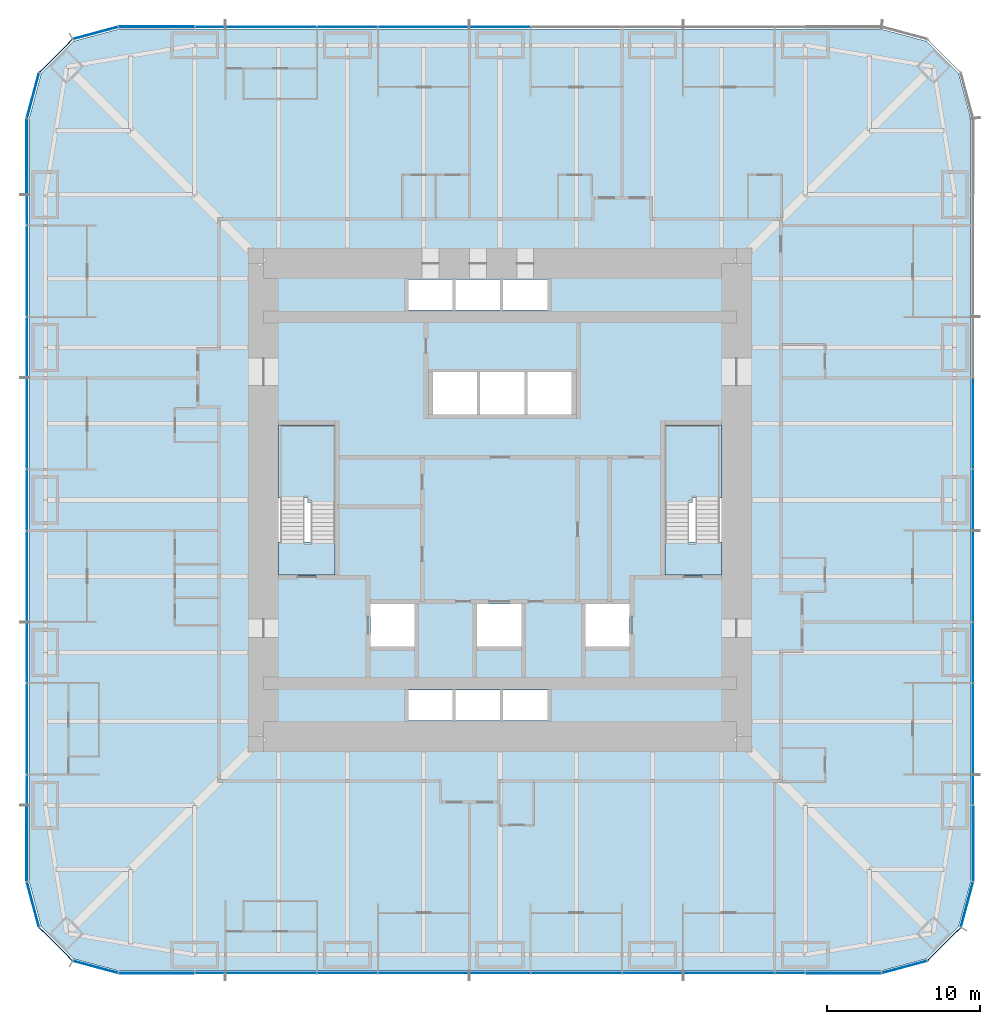
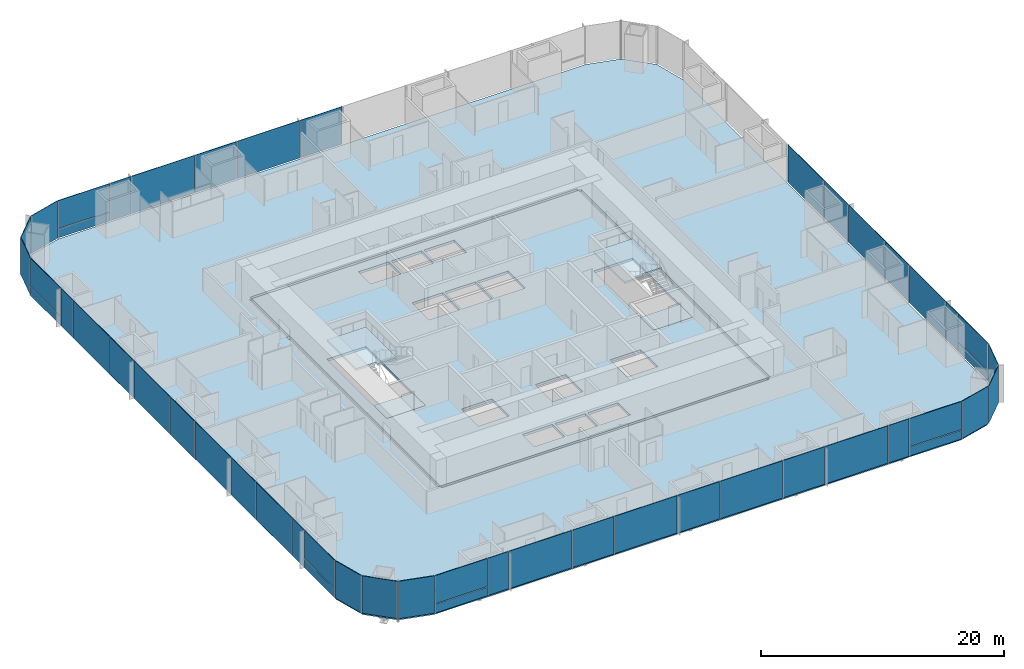
# One storey, part 10 of 17: 50 plates, 6 slabs, 9 elements without a shape of their own.
"""IFC4 building model written with IfcOpenShell, lengths in metres."""

from ifc_helpers import new_model, si_unit, direction, frame, origin, origin_2d, place, context, subcontext, project, spatial, polyline, rectangle, outline, extrude, material, layer, layer_set, type_object, element, aggregate, save


model = new_model("IFC4")

# Units and contexts
model_context = context("Model", 3, precision=1e-05, world=origin(), true_north=direction((0.0, 1.0)))
body_context = subcontext(model_context, "Body", "Model", "MODEL_VIEW")
ifc_project = project(units=[si_unit("LENGTHUNIT", "METRE"), si_unit("AREAUNIT", "SQUARE_METRE"), si_unit("VOLUMEUNIT", "CUBIC_METRE"), si_unit("PLANEANGLEUNIT", "RADIAN"), si_unit("MASSUNIT", "GRAM", prefix="KILO")], contexts=[model_context])

# Site, building, storey
site_placement = place(None, origin())
site = spatial("IfcSite", under=ifc_project, at=site_placement, CompositionType="ELEMENT")
building_placement = place(site_placement, origin())
building = spatial("IfcBuilding", under=site, at=building_placement, Name="Khuree Lantern Residences", CompositionType="ELEMENT")
storey_placement = place(building_placement, frame((0.0, 0.0, 88.5)))
storey = spatial("IfcBuildingStorey", under=building, at=storey_placement, Name="L22", CompositionType="ELEMENT", Elevation=88.5)

# Slab
ifc_material_1 = material(Name="Concrete C35/45", Category="concrete")
ifc_layer_1 = layer(ifc_material_1, 0.25)
ifc_layer_set_1 = layer_set([ifc_layer_1], Name="CFL250 CORE FLOOR SLAB 250")
slab_type_1 = type_object("IfcSlabType", Name="CFL250 CORE FLOOR SLAB 250", PredefinedType="FLOOR", material=ifc_layer_set_1)
slab_1_placement = place(storey_placement, frame((0.0, 0.0, -0.25)))
element("IfcSlab", 1, at=slab_1_placement, inside=storey, type_object=slab_type_1, Name="Core floor L22", PredefinedType="FLOOR", context=body_context, shape_type="SweptSolid", body=[
    extrude(outline(polyline([(-15.5, -15.5), (-15.5, 15.5), (15.5, 15.5), (15.5, -15.5), (-15.5, -15.5)]), holes=[polyline([(14.5, 4.89990234375), (10.800048828125, 4.89990234375), (10.800048828125, -4.89990234375), (14.5, -4.89990234375), (14.5, 4.89990234375)]), polyline([(8.5, -6.800048828125), (5.60009765625, -6.800048828125), (5.60009765625, -9.60009765625), (8.5, -9.60009765625), (8.5, -6.800048828125)]), polyline([(4.699951171875, 8.39990234375), (1.800048828125, 8.39990234375), (1.800048828125, 5.60009765625), (4.699951171875, 5.60009765625), (4.699951171875, 8.39990234375)]), polyline([(0.199951171875, -12.449951171875), (0.199951171875, -14.449951171875), (3.10009765625, -14.449951171875), (3.10009765625, -12.449951171875), (0.199951171875, -12.449951171875)]), polyline([(3.10009765625, 14.449951171875), (0.199951171875, 14.449951171875), (0.199951171875, 12.449951171875), (3.10009765625, 12.449951171875), (3.10009765625, 14.449951171875)]), polyline([(1.60009765625, 8.39990234375), (-1.300048828125, 8.39990234375), (-1.300048828125, 5.60009765625), (1.60009765625, 5.60009765625), (1.60009765625, 8.39990234375)]), polyline([(1.39990234375, -6.800048828125), (-1.5, -6.800048828125), (-1.5, -9.60009765625), (1.39990234375, -9.60009765625), (1.39990234375, -6.800048828125)]), polyline([(0.0, -12.449951171875), (-2.89990234375, -12.449951171875), (-2.89990234375, -14.449951171875), (0.0, -14.449951171875), (0.0, -12.449951171875)]), polyline([(0.0, 14.449951171875), (-2.89990234375, 14.449951171875), (-2.89990234375, 12.449951171875), (0.0, 12.449951171875), (0.0, 14.449951171875)]), polyline([(-1.5, 8.39990234375), (-4.39990234375, 8.39990234375), (-4.39990234375, 5.60009765625), (-1.5, 5.60009765625), (-1.5, 8.39990234375)]), polyline([(-6.0, -12.449951171875), (-6.0, -14.449951171875), (-3.10009765625, -14.449951171875), (-3.10009765625, -12.449951171875), (-6.0, -12.449951171875)]), polyline([(-3.10009765625, 14.449951171875), (-6.0, 14.449951171875), (-6.0, 12.449951171875), (-3.10009765625, 12.449951171875), (-3.10009765625, 14.449951171875)]), polyline([(-5.60009765625, -6.800048828125), (-8.5, -6.800048828125), (-8.5, -9.60009765625), (-5.60009765625, -9.60009765625), (-5.60009765625, -6.800048828125)]), polyline([(-10.800048828125, 4.89990234375), (-14.5, 4.89990234375), (-14.5, -4.89990234375), (-10.800048828125, -4.89990234375), (-10.800048828125, 4.89990234375)])]), origin(), (0.0, 0.0, 1.0), 0.25),
])

# Curtain wall, plates
ifc_material_2 = material(Name="Bronze anodised aluminium", Category="aluminium")
curtain_wall_type_1 = type_object("IfcCurtainWallType", Name="CW-T2 TOWER CORNER CURTAIN WALL", PredefinedType="USERDEFINED", material=ifc_material_2)
curtain_wall_1_placement = place(storey_placement, origin())
curtain_wall_1 = element("IfcCurtainWall", 2, at=curtain_wall_1_placement, inside=storey, type_object=curtain_wall_type_1, Name="L22 SOUTH-EAST CORNER CURTAIN WALL", ObjectType="Faceted corner curtain wall", PredefinedType="USERDEFINED")
ifc_material_3 = material(Name="Bronze tinted triple glazing", Category="glass")
ifc_layer_2 = layer(ifc_material_3, 0.048095703125)
ifc_layer_set_2 = layer_set([ifc_layer_2], Name="FACET PANEL P4")
plate_type_1 = type_object("IfcPlateType", Name="FACET PANEL P4", PredefinedType="CURTAIN_PANEL", material=ifc_layer_set_2)
plate_1_placement = place(storey_placement, frame((26.498046875, -30.5986328125, 0.0), z_axis=(0.0, 0.0, 1.0), x_axis=(0.965925792265, 0.258819172081, 0.0)))
plate_1 = element("IfcPlate", 3, at=plate_1_placement, type_object=plate_type_1, Name="L22 SOUTH-EAST CORNER PANEL 1.1", PredefinedType="CURTAIN_PANEL", context=body_context, shape_type="SweptSolid", body=[
    extrude(rectangle(XDim=3.02978515625, YDim=0.048095703125, at=origin_2d()), origin(), (0.0, 0.0, 1.0), 3.75),
])
plate_2_placement = place(storey_placement, frame((29.09814453125, -29.09814453125, 0.0), z_axis=(0.0, 0.0, 1.0), x_axis=(0.707106781187, 0.707106781187, 0.0)))
plate_2 = element("IfcPlate", 4, at=plate_2_placement, type_object=plate_type_1, Name="L22 SOUTH-EAST CORNER PANEL 2.1", PredefinedType="CURTAIN_PANEL", context=body_context, shape_type="SweptSolid", body=[
    extrude(rectangle(XDim=3.025634765625, YDim=0.048095703125, at=origin_2d()), origin(), (0.0, 0.0, 1.0), 3.75),
])
plate_3_placement = place(storey_placement, frame((30.5986328125, -26.498046875, 0.0), z_axis=(0.0, 0.0, 1.0), x_axis=(0.258819172081, 0.965925792265, 0.0)))
plate_3 = element("IfcPlate", 5, at=plate_3_placement, type_object=plate_type_1, Name="L22 SOUTH-EAST CORNER PANEL 3.1", PredefinedType="CURTAIN_PANEL", context=body_context, shape_type="SweptSolid", body=[
    extrude(rectangle(XDim=3.02978515625, YDim=0.048095703125, at=origin_2d()), origin(), (0.0, 0.0, 1.0), 3.75),
])
aggregate(curtain_wall_1, [plate_1, plate_2, plate_3])

curtain_wall_2_placement = place(storey_placement, origin())
curtain_wall_2 = element("IfcCurtainWall", 6, at=curtain_wall_2_placement, inside=storey, type_object=curtain_wall_type_1, Name="L22 NORTH-WEST CORNER CURTAIN WALL", ObjectType="Faceted corner curtain wall", PredefinedType="USERDEFINED")
plate_4_placement = place(storey_placement, frame((-26.498046875, 30.5986328125, 0.0), z_axis=(0.0, 0.0, 1.0), x_axis=(-0.965925792265, -0.258819172081, 0.0)))
plate_4 = element("IfcPlate", 7, at=plate_4_placement, type_object=plate_type_1, Name="L22 NORTH-WEST CORNER PANEL 29.1", PredefinedType="CURTAIN_PANEL", context=body_context, shape_type="SweptSolid", body=[
    extrude(rectangle(XDim=3.02978515625, YDim=0.048095703125, at=origin_2d()), origin(), (0.0, 0.0, 1.0), 3.75),
])
plate_5_placement = place(storey_placement, frame((-29.09814453125, 29.09814453125, 0.0), z_axis=(0.0, 0.0, 1.0), x_axis=(-0.707106781187, -0.707106781187, 0.0)))
plate_5 = element("IfcPlate", 8, at=plate_5_placement, type_object=plate_type_1, Name="L22 NORTH-WEST CORNER PANEL 30.1", PredefinedType="CURTAIN_PANEL", context=body_context, shape_type="SweptSolid", body=[
    extrude(rectangle(XDim=3.025634765625, YDim=0.048095703125, at=origin_2d()), origin(), (0.0, 0.0, 1.0), 3.75),
])
plate_6_placement = place(storey_placement, frame((-30.5986328125, 26.498046875, 0.0), z_axis=(0.0, 0.0, 1.0), x_axis=(-0.258819172081, -0.965925792265, 0.0)))
plate_6 = element("IfcPlate", 9, at=plate_6_placement, type_object=plate_type_1, Name="L22 NORTH-WEST CORNER PANEL 31.1", PredefinedType="CURTAIN_PANEL", context=body_context, shape_type="SweptSolid", body=[
    extrude(rectangle(XDim=3.02978515625, YDim=0.048095703125, at=origin_2d()), origin(), (0.0, 0.0, 1.0), 3.75),
])
aggregate(curtain_wall_2, [plate_4, plate_5, plate_6])

curtain_wall_3_placement = place(storey_placement, origin())
curtain_wall_3 = element("IfcCurtainWall", 10, at=curtain_wall_3_placement, inside=storey, type_object=curtain_wall_type_1, Name="L22 SOUTH-WEST CORNER CURTAIN WALL", ObjectType="Faceted corner curtain wall", PredefinedType="USERDEFINED")
plate_7_placement = place(storey_placement, frame((-30.5986328125, -26.498046875, 0.0), z_axis=(0.0, 0.0, 1.0), x_axis=(0.258819172081, -0.965925792265, 0.0)))
plate_7 = element("IfcPlate", 11, at=plate_7_placement, type_object=plate_type_1, Name="L22 SOUTH-WEST CORNER PANEL 43.1", PredefinedType="CURTAIN_PANEL", context=body_context, shape_type="SweptSolid", body=[
    extrude(rectangle(XDim=3.02978515625, YDim=0.048095703125, at=origin_2d()), origin(), (0.0, 0.0, 1.0), 3.75),
])
plate_8_placement = place(storey_placement, frame((-29.09814453125, -29.09814453125, 0.0), z_axis=(0.0, 0.0, 1.0), x_axis=(0.707106781187, -0.707106781187, 0.0)))
plate_8 = element("IfcPlate", 12, at=plate_8_placement, type_object=plate_type_1, Name="L22 SOUTH-WEST CORNER PANEL 44.1", PredefinedType="CURTAIN_PANEL", context=body_context, shape_type="SweptSolid", body=[
    extrude(rectangle(XDim=3.025634765625, YDim=0.048095703125, at=origin_2d()), origin(), (0.0, 0.0, 1.0), 3.75),
])
plate_9_placement = place(storey_placement, frame((-26.498046875, -30.5986328125, 0.0), z_axis=(0.0, 0.0, 1.0), x_axis=(0.965925792265, -0.258819172081, 0.0)))
plate_9 = element("IfcPlate", 13, at=plate_9_placement, type_object=plate_type_1, Name="L22 SOUTH-WEST CORNER PANEL 45.1", PredefinedType="CURTAIN_PANEL", context=body_context, shape_type="SweptSolid", body=[
    extrude(rectangle(XDim=3.02978515625, YDim=0.048095703125, at=origin_2d()), origin(), (0.0, 0.0, 1.0), 3.75),
])
aggregate(curtain_wall_3, [plate_7, plate_8, plate_9])

curtain_wall_type_2 = type_object("IfcCurtainWallType", Name="CW-T1 TOWER FACE CURTAIN WALL", PredefinedType="USERDEFINED", material=ifc_material_2)
curtain_wall_4_placement = place(storey_placement, origin())
curtain_wall_4 = element("IfcCurtainWall", 14, at=curtain_wall_4_placement, inside=storey, type_object=curtain_wall_type_2, Name="L22 EAST FACE CURTAIN WALL", ObjectType="Stick-built curtain wall", PredefinedType="USERDEFINED")
ifc_material_4 = material(Name="Bronze tinted triple glazing with a ceramic-fritted spandrel band", Category="glass")
ifc_layer_3 = layer(ifc_material_4, 0.048095703125)
ifc_layer_set_3 = layer_set([ifc_layer_3], Name="FIXED LIGHT PANEL P11")
plate_type_2 = type_object("IfcPlateType", Name="FIXED LIGHT PANEL P11", PredefinedType="CURTAIN_PANEL", material=ifc_layer_set_3)
plate_10_placement = place(storey_placement, frame((31.0, -15.0, 0.0), z_axis=(0.0, 0.0, 1.0), x_axis=(0.0, 1.0, 0.0)))
plate_10 = element("IfcPlate", 15, at=plate_10_placement, type_object=plate_type_2, Name="L22 EAST FACE PANEL 6.1", PredefinedType="CURTAIN_PANEL", context=body_context, shape_type="SweptSolid", body=[
    extrude(rectangle(XDim=5.93505859375, YDim=0.048095703125, at=origin_2d()), origin(), (0.0, 0.0, 1.0), 3.75),
])
plate_11_placement = place(storey_placement, frame((31.0, -5.0, 0.0), z_axis=(0.0, 0.0, 1.0), x_axis=(0.0, 1.0, 0.0)))
plate_11 = element("IfcPlate", 16, at=plate_11_placement, type_object=plate_type_2, Name="L22 EAST FACE PANEL 8.1", PredefinedType="CURTAIN_PANEL", context=body_context, shape_type="SweptSolid", body=[
    extrude(rectangle(XDim=5.93505859375, YDim=0.048095703125, at=origin_2d()), origin(), (0.0, 0.0, 1.0), 3.75),
])
plate_12_placement = place(storey_placement, frame((31.0, 5.0, 0.0), z_axis=(0.0, 0.0, 1.0), x_axis=(0.0, 1.0, 0.0)))
plate_12 = element("IfcPlate", 17, at=plate_12_placement, type_object=plate_type_2, Name="L22 EAST FACE PANEL 10.1", PredefinedType="CURTAIN_PANEL", context=body_context, shape_type="SweptSolid", body=[
    extrude(rectangle(XDim=5.93505859375, YDim=0.048095703125, at=origin_2d()), origin(), (0.0, 0.0, 1.0), 3.75),
])

curtain_wall_5_placement = place(storey_placement, origin())
curtain_wall_5 = element("IfcCurtainWall", 18, at=curtain_wall_5_placement, inside=storey, type_object=curtain_wall_type_2, Name="L22 NORTH FACE CURTAIN WALL", ObjectType="Stick-built curtain wall", PredefinedType="USERDEFINED")
plate_13_placement = place(storey_placement, frame((-5.0, 31.0, 0.0), z_axis=(0.0, 0.0, 1.0), x_axis=(-1.0, 0.0, 0.0)))
plate_13 = element("IfcPlate", 19, at=plate_13_placement, type_object=plate_type_2, Name="L22 NORTH FACE PANEL 24.1", PredefinedType="CURTAIN_PANEL", context=body_context, shape_type="SweptSolid", body=[
    extrude(rectangle(XDim=5.93505859375, YDim=0.048095703125, at=origin_2d()), origin(), (0.0, 0.0, 1.0), 3.75),
])
plate_14_placement = place(storey_placement, frame((-15.0, 31.0, 0.0), z_axis=(0.0, 0.0, 1.0), x_axis=(-1.0, 0.0, 0.0)))
plate_14 = element("IfcPlate", 20, at=plate_14_placement, type_object=plate_type_2, Name="L22 NORTH FACE PANEL 26.1", PredefinedType="CURTAIN_PANEL", context=body_context, shape_type="SweptSolid", body=[
    extrude(rectangle(XDim=5.93505859375, YDim=0.048095703125, at=origin_2d()), origin(), (0.0, 0.0, 1.0), 3.75),
])

curtain_wall_6_placement = place(storey_placement, origin())
curtain_wall_6 = element("IfcCurtainWall", 21, at=curtain_wall_6_placement, inside=storey, type_object=curtain_wall_type_2, Name="L22 WEST FACE CURTAIN WALL", ObjectType="Stick-built curtain wall", PredefinedType="USERDEFINED")
plate_15_placement = place(storey_placement, frame((-31.0, 15.0, 0.0), z_axis=(0.0, 0.0, 1.0), x_axis=(0.0, -1.0, 0.0)))
plate_15 = element("IfcPlate", 22, at=plate_15_placement, type_object=plate_type_2, Name="L22 WEST FACE PANEL 34.1", PredefinedType="CURTAIN_PANEL", context=body_context, shape_type="SweptSolid", body=[
    extrude(rectangle(XDim=5.93505859375, YDim=0.048095703125, at=origin_2d()), origin(), (0.0, 0.0, 1.0), 3.75),
])
plate_16_placement = place(storey_placement, frame((-31.0, 5.0, 0.0), z_axis=(0.0, 0.0, 1.0), x_axis=(0.0, -1.0, 0.0)))
plate_16 = element("IfcPlate", 23, at=plate_16_placement, type_object=plate_type_2, Name="L22 WEST FACE PANEL 36.1", PredefinedType="CURTAIN_PANEL", context=body_context, shape_type="SweptSolid", body=[
    extrude(rectangle(XDim=5.93505859375, YDim=0.048095703125, at=origin_2d()), origin(), (0.0, 0.0, 1.0), 3.75),
])
plate_17_placement = place(storey_placement, frame((-31.0, -5.0, 0.0), z_axis=(0.0, 0.0, 1.0), x_axis=(0.0, -1.0, 0.0)))
plate_17 = element("IfcPlate", 24, at=plate_17_placement, type_object=plate_type_2, Name="L22 WEST FACE PANEL 38.1", PredefinedType="CURTAIN_PANEL", context=body_context, shape_type="SweptSolid", body=[
    extrude(rectangle(XDim=5.93505859375, YDim=0.048095703125, at=origin_2d()), origin(), (0.0, 0.0, 1.0), 3.75),
])
plate_18_placement = place(storey_placement, frame((-31.0, -15.0, 0.0), z_axis=(0.0, 0.0, 1.0), x_axis=(0.0, -1.0, 0.0)))
plate_18 = element("IfcPlate", 25, at=plate_18_placement, type_object=plate_type_2, Name="L22 WEST FACE PANEL 40.1", PredefinedType="CURTAIN_PANEL", context=body_context, shape_type="SweptSolid", body=[
    extrude(rectangle(XDim=5.93505859375, YDim=0.048095703125, at=origin_2d()), origin(), (0.0, 0.0, 1.0), 3.75),
])

curtain_wall_7_placement = place(storey_placement, origin())
curtain_wall_7 = element("IfcCurtainWall", 26, at=curtain_wall_7_placement, inside=storey, type_object=curtain_wall_type_2, Name="L22 SOUTH FACE CURTAIN WALL", ObjectType="Stick-built curtain wall", PredefinedType="USERDEFINED")
plate_19_placement = place(storey_placement, frame((-15.0, -31.0, 0.0), z_axis=(0.0, 0.0, 1.0), x_axis=(1.0, 0.0, 0.0)))
plate_19 = element("IfcPlate", 27, at=plate_19_placement, type_object=plate_type_2, Name="L22 SOUTH FACE PANEL 48.1", PredefinedType="CURTAIN_PANEL", context=body_context, shape_type="SweptSolid", body=[
    extrude(rectangle(XDim=5.93505859375, YDim=0.048095703125, at=origin_2d()), origin(), (0.0, 0.0, 1.0), 3.75),
])
plate_20_placement = place(storey_placement, frame((-5.0, -31.0, 0.0), z_axis=(0.0, 0.0, 1.0), x_axis=(1.0, 0.0, 0.0)))
plate_20 = element("IfcPlate", 28, at=plate_20_placement, type_object=plate_type_2, Name="L22 SOUTH FACE PANEL 50.1", PredefinedType="CURTAIN_PANEL", context=body_context, shape_type="SweptSolid", body=[
    extrude(rectangle(XDim=5.93505859375, YDim=0.048095703125, at=origin_2d()), origin(), (0.0, 0.0, 1.0), 3.75),
])
plate_21_placement = place(storey_placement, frame((5.0, -31.0, 0.0), z_axis=(0.0, 0.0, 1.0), x_axis=(1.0, 0.0, 0.0)))
plate_21 = element("IfcPlate", 29, at=plate_21_placement, type_object=plate_type_2, Name="L22 SOUTH FACE PANEL 52.1", PredefinedType="CURTAIN_PANEL", context=body_context, shape_type="SweptSolid", body=[
    extrude(rectangle(XDim=5.93505859375, YDim=0.048095703125, at=origin_2d()), origin(), (0.0, 0.0, 1.0), 3.75),
])
plate_22_placement = place(storey_placement, frame((15.0, -31.0, 0.0), z_axis=(0.0, 0.0, 1.0), x_axis=(1.0, 0.0, 0.0)))
plate_22 = element("IfcPlate", 30, at=plate_22_placement, type_object=plate_type_2, Name="L22 SOUTH FACE PANEL 54.1", PredefinedType="CURTAIN_PANEL", context=body_context, shape_type="SweptSolid", body=[
    extrude(rectangle(XDim=5.93505859375, YDim=0.048095703125, at=origin_2d()), origin(), (0.0, 0.0, 1.0), 3.75),
])

# Slab
ifc_layer_4 = layer(ifc_material_1, 0.25)
ifc_layer_set_4 = layer_set([ifc_layer_4], Name="FS250 FLOOR SLAB 250")
slab_type_2 = type_object("IfcSlabType", Name="FS250 FLOOR SLAB 250", PredefinedType="FLOOR", material=ifc_layer_set_4)
slab_2_placement = place(storey_placement, frame((0.0, 0.0, -0.25)))
element("IfcSlab", 31, at=slab_2_placement, inside=storey, type_object=slab_type_2, Name="Floor slab L22", PredefinedType="FLOOR", context=body_context, shape_type="SweptSolid", body=[
    extrude(outline(polyline([(-27.925048828125, -30.066162109375), (-30.066162109375, -27.925048828125), (-30.85009765625, -25.0), (-30.85009765625, 25.0), (-30.066162109375, 27.925048828125), (-27.925048828125, 30.066162109375), (-25.0, 30.85009765625), (25.0, 30.85009765625), (27.925048828125, 30.066162109375), (30.066162109375, 27.925048828125), (30.85009765625, 25.0), (30.85009765625, -25.0), (30.066162109375, -27.925048828125), (27.925048828125, -30.066162109375), (25.0, -30.85009765625), (-25.0, -30.85009765625), (-27.925048828125, -30.066162109375)]), holes=[polyline([(15.75, 15.5), (15.5, 15.5), (15.5, 15.75), (-15.5, 15.75), (-15.5, 15.5), (-15.75, 15.5), (-15.75, -15.5), (-15.5, -15.5), (-15.5, -15.75), (15.5, -15.75), (15.5, -15.5), (15.75, -15.5), (15.75, 15.5)])]), origin(), (0.0, 0.0, 1.0), 0.25),
])

# Plate
ifc_material_5 = material(Name="Bronze tinted triple glazing, two aluminium-framed sashes in one frame", Category="aluminium")
ifc_layer_5 = layer(ifc_material_5, 0.048095703125)
ifc_layer_set_5 = layer_set([ifc_layer_5], Name="SASH PAIR PANEL P12")
plate_type_3 = type_object("IfcPlateType", Name="SASH PAIR PANEL P12", PredefinedType="CURTAIN_PANEL", material=ifc_layer_set_5)
plate_23_placement = place(storey_placement, frame((31.0, -10.0, 0.0), z_axis=(0.0, 0.0, 1.0), x_axis=(0.0, 1.0, 0.0)))
plate_23 = element("IfcPlate", 32, at=plate_23_placement, type_object=plate_type_3, Name="L22 EAST FACE PANEL 7.1", PredefinedType="CURTAIN_PANEL", context=body_context, shape_type="SweptSolid", body=[
    extrude(rectangle(XDim=3.93505859375, YDim=0.048095703125, at=origin_2d()), origin(), (0.0, 0.0, 1.0), 3.75),
])

plate_24_placement = place(storey_placement, frame((31.0, 0.0, 0.0), z_axis=(0.0, 0.0, 1.0), x_axis=(0.0, 1.0, 0.0)))
plate_24 = element("IfcPlate", 33, at=plate_24_placement, type_object=plate_type_3, Name="L22 EAST FACE PANEL 9.1", PredefinedType="CURTAIN_PANEL", context=body_context, shape_type="SweptSolid", body=[
    extrude(rectangle(XDim=3.93505859375, YDim=0.048095703125, at=origin_2d()), origin(), (0.0, 0.0, 1.0), 3.75),
])

plate_25_placement = place(storey_placement, frame((0.0, 31.0, 0.0), z_axis=(0.0, 0.0, 1.0), x_axis=(-1.0, 0.0, 0.0)))
plate_25 = element("IfcPlate", 34, at=plate_25_placement, type_object=plate_type_3, Name="L22 NORTH FACE PANEL 23.1", PredefinedType="CURTAIN_PANEL", context=body_context, shape_type="SweptSolid", body=[
    extrude(rectangle(XDim=3.93505859375, YDim=0.048095703125, at=origin_2d()), origin(), (0.0, 0.0, 1.0), 3.75),
])

plate_26_placement = place(storey_placement, frame((-10.0, 31.0, 0.0), z_axis=(0.0, 0.0, 1.0), x_axis=(-1.0, 0.0, 0.0)))
plate_26 = element("IfcPlate", 35, at=plate_26_placement, type_object=plate_type_3, Name="L22 NORTH FACE PANEL 25.1", PredefinedType="CURTAIN_PANEL", context=body_context, shape_type="SweptSolid", body=[
    extrude(rectangle(XDim=3.93505859375, YDim=0.048095703125, at=origin_2d()), origin(), (0.0, 0.0, 1.0), 3.75),
])

plate_27_placement = place(storey_placement, frame((-31.0, 10.0, 0.0), z_axis=(0.0, 0.0, 1.0), x_axis=(0.0, -1.0, 0.0)))
plate_27 = element("IfcPlate", 36, at=plate_27_placement, type_object=plate_type_3, Name="L22 WEST FACE PANEL 35.1", PredefinedType="CURTAIN_PANEL", context=body_context, shape_type="SweptSolid", body=[
    extrude(rectangle(XDim=3.93505859375, YDim=0.048095703125, at=origin_2d()), origin(), (0.0, 0.0, 1.0), 3.75),
])

plate_28_placement = place(storey_placement, frame((-31.0, 0.0, 0.0), z_axis=(0.0, 0.0, 1.0), x_axis=(0.0, -1.0, 0.0)))
plate_28 = element("IfcPlate", 37, at=plate_28_placement, type_object=plate_type_3, Name="L22 WEST FACE PANEL 37.1", PredefinedType="CURTAIN_PANEL", context=body_context, shape_type="SweptSolid", body=[
    extrude(rectangle(XDim=3.93505859375, YDim=0.048095703125, at=origin_2d()), origin(), (0.0, 0.0, 1.0), 3.75),
])

plate_29_placement = place(storey_placement, frame((-31.0, -10.0, 0.0), z_axis=(0.0, 0.0, 1.0), x_axis=(0.0, -1.0, 0.0)))
plate_29 = element("IfcPlate", 38, at=plate_29_placement, type_object=plate_type_3, Name="L22 WEST FACE PANEL 39.1", PredefinedType="CURTAIN_PANEL", context=body_context, shape_type="SweptSolid", body=[
    extrude(rectangle(XDim=3.93505859375, YDim=0.048095703125, at=origin_2d()), origin(), (0.0, 0.0, 1.0), 3.75),
])

plate_30_placement = place(storey_placement, frame((-10.0, -31.0, 0.0), z_axis=(0.0, 0.0, 1.0), x_axis=(1.0, 0.0, 0.0)))
plate_30 = element("IfcPlate", 39, at=plate_30_placement, type_object=plate_type_3, Name="L22 SOUTH FACE PANEL 49.1", PredefinedType="CURTAIN_PANEL", context=body_context, shape_type="SweptSolid", body=[
    extrude(rectangle(XDim=3.93505859375, YDim=0.048095703125, at=origin_2d()), origin(), (0.0, 0.0, 1.0), 3.75),
])

plate_31_placement = place(storey_placement, frame((0.0, -31.0, 0.0), z_axis=(0.0, 0.0, 1.0), x_axis=(1.0, 0.0, 0.0)))
plate_31 = element("IfcPlate", 40, at=plate_31_placement, type_object=plate_type_3, Name="L22 SOUTH FACE PANEL 51.1", PredefinedType="CURTAIN_PANEL", context=body_context, shape_type="SweptSolid", body=[
    extrude(rectangle(XDim=3.93505859375, YDim=0.048095703125, at=origin_2d()), origin(), (0.0, 0.0, 1.0), 3.75),
])

plate_32_placement = place(storey_placement, frame((10.0, -31.0, 0.0), z_axis=(0.0, 0.0, 1.0), x_axis=(1.0, 0.0, 0.0)))
plate_32 = element("IfcPlate", 41, at=plate_32_placement, type_object=plate_type_3, Name="L22 SOUTH FACE PANEL 53.1", PredefinedType="CURTAIN_PANEL", context=body_context, shape_type="SweptSolid", body=[
    extrude(rectangle(XDim=3.93505859375, YDim=0.048095703125, at=origin_2d()), origin(), (0.0, 0.0, 1.0), 3.75),
])

ifc_material_6 = material(Name="Bronze tinted triple glazing, aluminium-framed sash", Category="aluminium")
ifc_layer_6 = layer(ifc_material_6, 0.048095703125)
ifc_layer_set_6 = layer_set([ifc_layer_6], Name="SASH PANEL P3")
plate_type_4 = type_object("IfcPlateType", Name="SASH PANEL P3", PredefinedType="CURTAIN_PANEL", material=ifc_layer_set_6)
plate_33_placement = place(storey_placement, frame((31.0, -19.0, 0.0), z_axis=(0.0, 0.0, 1.0), x_axis=(0.0, 1.0, 0.0)))
plate_33 = element("IfcPlate", 42, at=plate_33_placement, type_object=plate_type_4, Name="L22 EAST FACE PANEL 5.1", PredefinedType="CURTAIN_PANEL", context=body_context, shape_type="SweptSolid", body=[
    extrude(rectangle(XDim=1.93505859375, YDim=0.048095703125, at=origin_2d()), origin(), (0.0, 0.0, 1.0), 3.75),
])

plate_34_placement = place(storey_placement, frame((-19.0, 31.0, 0.0), z_axis=(0.0, 0.0, 1.0), x_axis=(-1.0, 0.0, 0.0)))
plate_34 = element("IfcPlate", 43, at=plate_34_placement, type_object=plate_type_4, Name="L22 NORTH FACE PANEL 27.1", PredefinedType="CURTAIN_PANEL", context=body_context, shape_type="SweptSolid", body=[
    extrude(rectangle(XDim=1.93505859375, YDim=0.048095703125, at=origin_2d()), origin(), (0.0, 0.0, 1.0), 3.75),
])

plate_35_placement = place(storey_placement, frame((-31.0, 19.0, 0.0), z_axis=(0.0, 0.0, 1.0), x_axis=(0.0, -1.0, 0.0)))
plate_35 = element("IfcPlate", 44, at=plate_35_placement, type_object=plate_type_4, Name="L22 WEST FACE PANEL 33.1", PredefinedType="CURTAIN_PANEL", context=body_context, shape_type="SweptSolid", body=[
    extrude(rectangle(XDim=1.93505859375, YDim=0.048095703125, at=origin_2d()), origin(), (0.0, 0.0, 1.0), 3.75),
])

plate_36_placement = place(storey_placement, frame((-31.0, -19.0, 0.0), z_axis=(0.0, 0.0, 1.0), x_axis=(0.0, -1.0, 0.0)))
plate_36 = element("IfcPlate", 45, at=plate_36_placement, type_object=plate_type_4, Name="L22 WEST FACE PANEL 41.1", PredefinedType="CURTAIN_PANEL", context=body_context, shape_type="SweptSolid", body=[
    extrude(rectangle(XDim=1.93505859375, YDim=0.048095703125, at=origin_2d()), origin(), (0.0, 0.0, 1.0), 3.75),
])

plate_37_placement = place(storey_placement, frame((-19.0, -31.0, 0.0), z_axis=(0.0, 0.0, 1.0), x_axis=(1.0, 0.0, 0.0)))
plate_37 = element("IfcPlate", 46, at=plate_37_placement, type_object=plate_type_4, Name="L22 SOUTH FACE PANEL 47.1", PredefinedType="CURTAIN_PANEL", context=body_context, shape_type="SweptSolid", body=[
    extrude(rectangle(XDim=1.93505859375, YDim=0.048095703125, at=origin_2d()), origin(), (0.0, 0.0, 1.0), 3.75),
])

plate_38_placement = place(storey_placement, frame((19.0, -31.0, 0.0), z_axis=(0.0, 0.0, 1.0), x_axis=(1.0, 0.0, 0.0)))
plate_38 = element("IfcPlate", 47, at=plate_38_placement, type_object=plate_type_4, Name="L22 SOUTH FACE PANEL 55.1", PredefinedType="CURTAIN_PANEL", context=body_context, shape_type="SweptSolid", body=[
    extrude(rectangle(XDim=1.93505859375, YDim=0.048095703125, at=origin_2d()), origin(), (0.0, 0.0, 1.0), 3.75),
])

ifc_material_7 = material(Name="Bronze anodised aluminium insulated spandrel", Category="aluminium")
ifc_layer_7 = layer(ifc_material_7, 0.06005859375)
ifc_layer_set_7 = layer_set([ifc_layer_7], Name="SPANDREL PANEL P2")
plate_type_5 = type_object("IfcPlateType", Name="SPANDREL PANEL P2", PredefinedType="CURTAIN_PANEL", material=ifc_layer_set_7)
plate_39_placement = place(storey_placement, frame((31.0, -22.497802734375, 0.0), z_axis=(0.0, 0.0, 1.0), x_axis=(0.0, 1.0, 0.0)))
plate_39 = element("IfcPlate", 48, at=plate_39_placement, type_object=plate_type_5, Name="L22 EAST FACE PANEL 4.1", PredefinedType="CURTAIN_PANEL", context=body_context, shape_type="SweptSolid", body=[
    extrude(rectangle(XDim=4.9306640625, YDim=0.06005859375, at=origin_2d()), origin(), (0.0, 0.0, 1.0), 0.867431640625),
])

plate_40_placement = place(storey_placement, frame((-22.497802734375, 31.0, 0.0), z_axis=(0.0, 0.0, 1.0), x_axis=(-1.0, 0.0, 0.0)))
plate_40 = element("IfcPlate", 49, at=plate_40_placement, type_object=plate_type_5, Name="L22 NORTH FACE PANEL 28.1", PredefinedType="CURTAIN_PANEL", context=body_context, shape_type="SweptSolid", body=[
    extrude(rectangle(XDim=4.9306640625, YDim=0.06005859375, at=origin_2d()), origin(), (0.0, 0.0, 1.0), 0.867431640625),
])

plate_41_placement = place(storey_placement, frame((-31.0, 22.497802734375, 0.0), z_axis=(0.0, 0.0, 1.0), x_axis=(0.0, -1.0, 0.0)))
plate_41 = element("IfcPlate", 50, at=plate_41_placement, type_object=plate_type_5, Name="L22 WEST FACE PANEL 32.1", PredefinedType="CURTAIN_PANEL", context=body_context, shape_type="SweptSolid", body=[
    extrude(rectangle(XDim=4.9306640625, YDim=0.06005859375, at=origin_2d()), origin(), (0.0, 0.0, 1.0), 0.867431640625),
])

plate_42_placement = place(storey_placement, frame((-31.0, -22.497802734375, 0.0), z_axis=(0.0, 0.0, 1.0), x_axis=(0.0, -1.0, 0.0)))
plate_42 = element("IfcPlate", 51, at=plate_42_placement, type_object=plate_type_5, Name="L22 WEST FACE PANEL 42.1", PredefinedType="CURTAIN_PANEL", context=body_context, shape_type="SweptSolid", body=[
    extrude(rectangle(XDim=4.9306640625, YDim=0.06005859375, at=origin_2d()), origin(), (0.0, 0.0, 1.0), 0.867431640625),
])

plate_43_placement = place(storey_placement, frame((-22.497802734375, -31.0, 0.0), z_axis=(0.0, 0.0, 1.0), x_axis=(1.0, 0.0, 0.0)))
plate_43 = element("IfcPlate", 52, at=plate_43_placement, type_object=plate_type_5, Name="L22 SOUTH FACE PANEL 46.1", PredefinedType="CURTAIN_PANEL", context=body_context, shape_type="SweptSolid", body=[
    extrude(rectangle(XDim=4.9306640625, YDim=0.06005859375, at=origin_2d()), origin(), (0.0, 0.0, 1.0), 0.867431640625),
])

plate_44_placement = place(storey_placement, frame((22.497802734375, -31.0, 0.0), z_axis=(0.0, 0.0, 1.0), x_axis=(1.0, 0.0, 0.0)))
plate_44 = element("IfcPlate", 53, at=plate_44_placement, type_object=plate_type_5, Name="L22 SOUTH FACE PANEL 56.1", PredefinedType="CURTAIN_PANEL", context=body_context, shape_type="SweptSolid", body=[
    extrude(rectangle(XDim=4.9306640625, YDim=0.06005859375, at=origin_2d()), origin(), (0.0, 0.0, 1.0), 0.867431640625),
])

# Stair, slabs
ifc_material_8 = material(Name="Concrete C40/50", Category="concrete")
stair_type = type_object("IfcStairType", Name="STAIR ST1 HALF TURN 3600", PredefinedType="HALF_TURN_STAIR", material=ifc_material_8)
stair_1_placement = place(storey_placement, origin())
stair_1 = element("IfcStair", 54, at=stair_1_placement, inside=storey, type_object=stair_type, Name="Stair ST1", PredefinedType="HALF_TURN_STAIR")
ifc_layer_8 = layer(ifc_material_8, 0.199951171875)
ifc_layer_set_8 = layer_set([ifc_layer_8], Name="STAIR LANDING SL1 200")
slab_type_3 = type_object("IfcSlabType", Name="STAIR LANDING SL1 200", PredefinedType="LANDING", material=ifc_layer_set_8)
slab_3_placement = place(storey_placement, frame((0.0, 0.0, -0.199951171875)))
slab_3 = element("IfcSlab", 55, at=slab_3_placement, type_object=slab_type_3, Name="ST1 landing 1", PredefinedType="LANDING", context=body_context, shape_type="SweptSolid", body=[
    extrude(outline(polyline([(-14.5, -4.89990234375), (-10.800048828125, -4.89990234375), (-10.800048828125, -2.760009765625), (-14.5, -2.760009765625), (-14.5, -4.89990234375)])), origin(), (0.0, 0.0, 1.0), 0.199951171875),
])
slab_4_placement = place(storey_placement, frame((0.0, 0.0, 1.756591796875)))
slab_4 = element("IfcSlab", 56, at=slab_4_placement, type_object=slab_type_3, Name="ST1 landing 2", PredefinedType="LANDING", context=body_context, shape_type="SweptSolid", body=[
    extrude(outline(polyline([(-14.5, 0.1201171875), (-14.5, 4.89990234375), (-10.800048828125, 4.89990234375), (-10.800048828125, -0.159912109375), (-12.60009765625, -0.159912109375), (-12.60009765625, 0.1201171875), (-14.5, 0.1201171875)])), origin(), (0.0, 0.0, 1.0), 0.199951171875),
])
aggregate(stair_1, [slab_3, slab_4])

stair_2_placement = place(storey_placement, origin())
stair_2 = element("IfcStair", 57, at=stair_2_placement, inside=storey, type_object=stair_type, Name="Stair ST2", PredefinedType="HALF_TURN_STAIR")
slab_5_placement = place(storey_placement, frame((0.0, 0.0, -0.199951171875)))
slab_5 = element("IfcSlab", 58, at=slab_5_placement, type_object=slab_type_3, Name="ST2 landing 1", PredefinedType="LANDING", context=body_context, shape_type="SweptSolid", body=[
    extrude(outline(polyline([(10.800048828125, -4.89990234375), (14.5, -4.89990234375), (14.5, -2.760009765625), (10.800048828125, -2.760009765625), (10.800048828125, -4.89990234375)])), origin(), (0.0, 0.0, 1.0), 0.199951171875),
])
slab_6_placement = place(storey_placement, frame((0.0, 0.0, 1.756591796875)))
slab_6 = element("IfcSlab", 59, at=slab_6_placement, type_object=slab_type_3, Name="ST2 landing 2", PredefinedType="LANDING", context=body_context, shape_type="SweptSolid", body=[
    extrude(outline(polyline([(14.5, 4.89990234375), (14.5, 0.1201171875), (12.60009765625, 0.1201171875), (12.60009765625, -0.159912109375), (10.800048828125, -0.159912109375), (10.800048828125, 4.89990234375), (14.5, 4.89990234375)])), origin(), (0.0, 0.0, 1.0), 0.199951171875),
])
aggregate(stair_2, [slab_5, slab_6])

# Plate
ifc_layer_9 = layer(ifc_material_3, 0.048095703125)
ifc_layer_set_9 = layer_set([ifc_layer_9], Name="VISION PANEL P1")
plate_type_6 = type_object("IfcPlateType", Name="VISION PANEL P1", PredefinedType="CURTAIN_PANEL", material=ifc_layer_set_9)
plate_45_placement = place(storey_placement, frame((31.0, -22.498291015625, 0.9326171875), z_axis=(0.0, 0.0, 1.0), x_axis=(0.0, 1.0, 0.0)))
plate_45 = element("IfcPlate", 60, at=plate_45_placement, type_object=plate_type_6, Name="L22 EAST FACE PANEL 4.2", PredefinedType="CURTAIN_PANEL", context=body_context, shape_type="SweptSolid", body=[
    extrude(rectangle(XDim=4.931640625, YDim=0.048095703125, at=origin_2d()), origin(), (0.0, 0.0, 1.0), 2.8173828125),
])

aggregate(curtain_wall_4, [plate_39, plate_45, plate_33, plate_10, plate_23, plate_11, plate_24, plate_12])

plate_46_placement = place(storey_placement, frame((-22.498291015625, 31.0, 0.9326171875), z_axis=(0.0, 0.0, 1.0), x_axis=(-1.0, 0.0, 0.0)))
plate_46 = element("IfcPlate", 61, at=plate_46_placement, type_object=plate_type_6, Name="L22 NORTH FACE PANEL 28.2", PredefinedType="CURTAIN_PANEL", context=body_context, shape_type="SweptSolid", body=[
    extrude(rectangle(XDim=4.931640625, YDim=0.048095703125, at=origin_2d()), origin(), (0.0, 0.0, 1.0), 2.8173828125),
])

aggregate(curtain_wall_5, [plate_25, plate_13, plate_26, plate_14, plate_34, plate_40, plate_46])

plate_47_placement = place(storey_placement, frame((-31.0, 22.498291015625, 0.9326171875), z_axis=(0.0, 0.0, 1.0), x_axis=(0.0, -1.0, 0.0)))
plate_47 = element("IfcPlate", 62, at=plate_47_placement, type_object=plate_type_6, Name="L22 WEST FACE PANEL 32.2", PredefinedType="CURTAIN_PANEL", context=body_context, shape_type="SweptSolid", body=[
    extrude(rectangle(XDim=4.931640625, YDim=0.048095703125, at=origin_2d()), origin(), (0.0, 0.0, 1.0), 2.8173828125),
])

plate_48_placement = place(storey_placement, frame((-31.0, -22.498291015625, 0.9326171875), z_axis=(0.0, 0.0, 1.0), x_axis=(0.0, -1.0, 0.0)))
plate_48 = element("IfcPlate", 63, at=plate_48_placement, type_object=plate_type_6, Name="L22 WEST FACE PANEL 42.2", PredefinedType="CURTAIN_PANEL", context=body_context, shape_type="SweptSolid", body=[
    extrude(rectangle(XDim=4.931640625, YDim=0.048095703125, at=origin_2d()), origin(), (0.0, 0.0, 1.0), 2.8173828125),
])

aggregate(curtain_wall_6, [plate_41, plate_47, plate_35, plate_15, plate_27, plate_16, plate_28, plate_17, plate_29, plate_18, plate_36, plate_42, plate_48])

plate_49_placement = place(storey_placement, frame((-22.498291015625, -31.0, 0.9326171875), z_axis=(0.0, 0.0, 1.0), x_axis=(1.0, 0.0, 0.0)))
plate_49 = element("IfcPlate", 64, at=plate_49_placement, type_object=plate_type_6, Name="L22 SOUTH FACE PANEL 46.2", PredefinedType="CURTAIN_PANEL", context=body_context, shape_type="SweptSolid", body=[
    extrude(rectangle(XDim=4.931640625, YDim=0.048095703125, at=origin_2d()), origin(), (0.0, 0.0, 1.0), 2.8173828125),
])

plate_50_placement = place(storey_placement, frame((22.498291015625, -31.0, 0.9326171875), z_axis=(0.0, 0.0, 1.0), x_axis=(1.0, 0.0, 0.0)))
plate_50 = element("IfcPlate", 65, at=plate_50_placement, type_object=plate_type_6, Name="L22 SOUTH FACE PANEL 56.2", PredefinedType="CURTAIN_PANEL", context=body_context, shape_type="SweptSolid", body=[
    extrude(rectangle(XDim=4.931640625, YDim=0.048095703125, at=origin_2d()), origin(), (0.0, 0.0, 1.0), 2.8173828125),
])

aggregate(curtain_wall_7, [plate_43, plate_49, plate_37, plate_19, plate_30, plate_20, plate_31, plate_21, plate_32, plate_22, plate_38, plate_44, plate_50])

save(model, "model.ifc")
